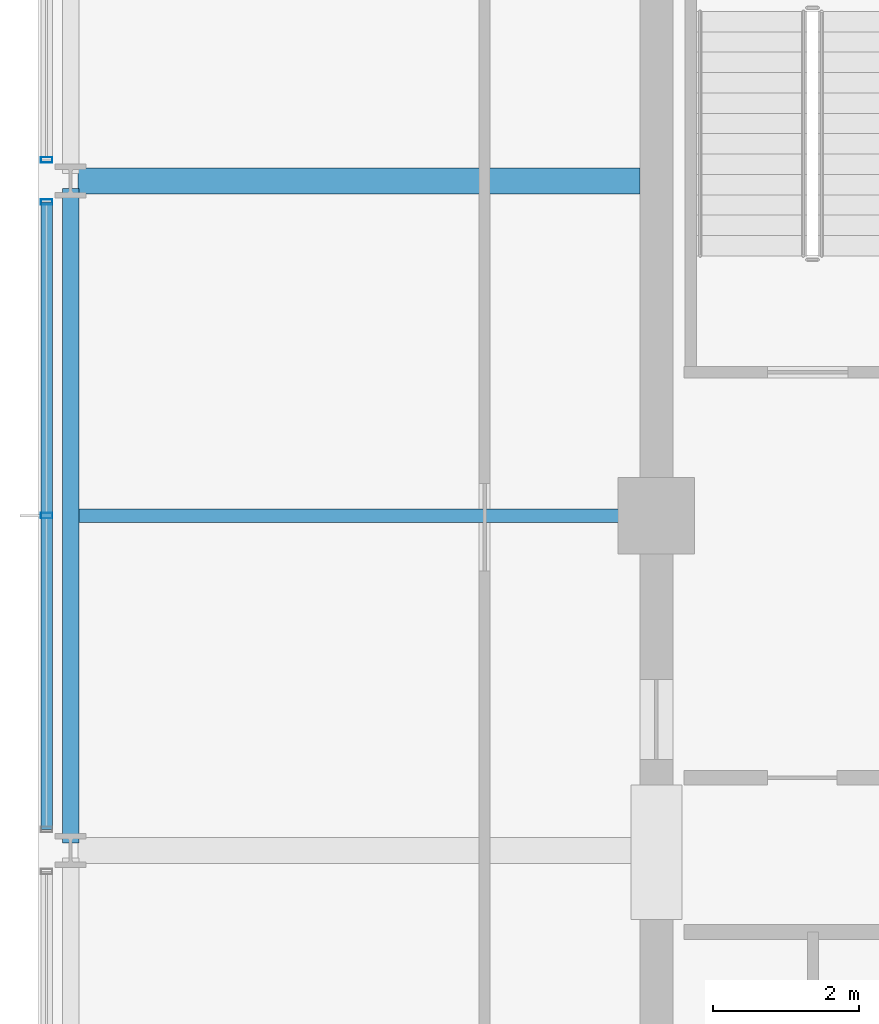
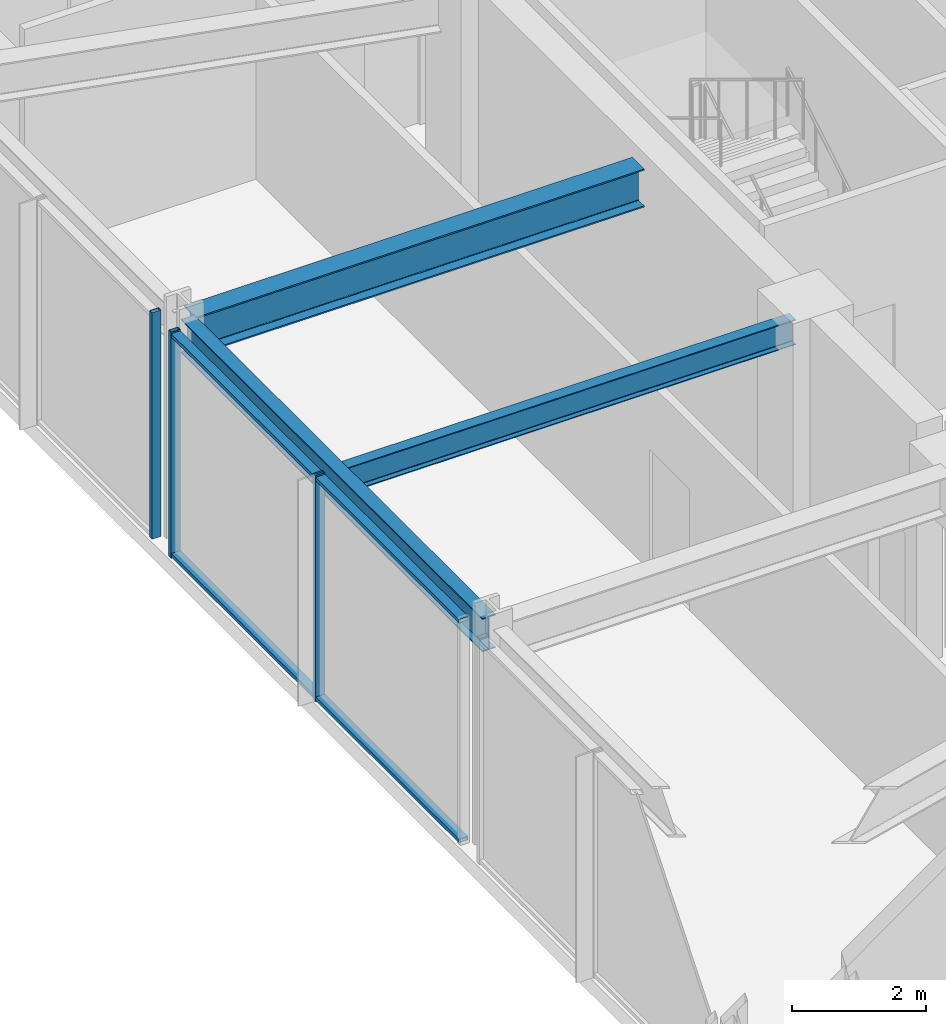
# One storey, part 8 of 26: 5 members, 3 beams, 2 elements without a shape of their own.
"""IFC4 building model written with IfcOpenShell, lengths in metres."""

from ifc_helpers import new_model, si_unit, direction, frame, origin, origin_2d, place, context, subcontext, project, spatial, hollow_rectangle, i_section, extrude, material, material_profile, profile_set, type_object, element, aggregate, save


model = new_model("IFC4")

# Units and contexts
model_context = context("Model", 3, precision=1e-05, world=origin(), true_north=direction((0.0, 1.0)))
body_context = subcontext(model_context, "Body", "Model", "MODEL_VIEW")
ifc_project = project(units=[si_unit("LENGTHUNIT", "METRE"), si_unit("AREAUNIT", "SQUARE_METRE"), si_unit("VOLUMEUNIT", "CUBIC_METRE"), si_unit("PLANEANGLEUNIT", "RADIAN"), si_unit("MASSUNIT", "GRAM", prefix="KILO")], contexts=[model_context])

# Site, building, storey
site_placement = place(None, origin())
site = spatial("IfcSite", under=ifc_project, at=site_placement, CompositionType="ELEMENT")
building_placement = place(site_placement, origin())
building = spatial("IfcBuilding", under=site, at=building_placement, Name="Kolvaren Belvedere", CompositionType="ELEMENT")
storey_placement = place(building_placement, frame((0.0, 0.0, 258.39990234375)))
storey = spatial("IfcBuildingStorey", under=building, at=storey_placement, Name="L75", CompositionType="ELEMENT", Elevation=258.39990234375)

# Beams
ifc_material_1 = material(Name="Structural steel ASTM A992 Grade 50", Category="steel")
ifc_material_profile_1 = material_profile(ifc_material_1, i_section(OverallWidth=0.35498046875, OverallDepth=0.696044921875, WebThickness=0.015380859375, FlangeThickness=0.02490234375, FilletRadius=0.02197265625, at=origin_2d()), Name="W27X146")
ifc_profile_set_1 = profile_set([ifc_material_profile_1], Name="Structural steel ASTM A992 Grade 50")
beam_type_1 = type_object("IfcBeamType", Name="BM-GIRD-W27X146", PredefinedType="BEAM", material=ifc_profile_set_1)
beam_1_placement = place(storey_placement, frame((-10.125, 4.60009765625, 3.772216796875), z_axis=(-1.0, 0.0, 0.0), x_axis=(0.0, -1.0, 0.0)))
element("IfcBeam", 1, at=beam_1_placement, inside=storey, type_object=beam_type_1, Name="L75 West Radial Girder P", PredefinedType="BEAM", context=body_context, shape_type="SweptSolid", body=[
    extrude(i_section(OverallWidth=0.35498046875, OverallDepth=0.696044921875, WebThickness=0.015380859375, FlangeThickness=0.02490234375, FilletRadius=0.02197265625, at=origin_2d()), origin(), (0.0, 0.0, 1.0), 7.720458984375),
])
ifc_material_2 = material(Name="Structural steel ASTM A992 Grade 50", Category="steel")
ifc_material_profile_2 = material_profile(ifc_material_2, i_section(OverallWidth=0.19091796875, OverallDepth=0.4599609375, WebThickness=0.010009765625, FlangeThickness=0.01611328125, FilletRadius=0.014892578125, at=origin_2d()), Name="W18X55")
ifc_profile_set_2 = profile_set([ifc_material_profile_2], Name="Structural steel ASTM A992 Grade 50")
beam_type_2 = type_object("IfcBeamType", Name="BM-JOIST-W18X55", PredefinedType="BEAM", material=ifc_profile_set_2)
beam_2_placement = place(storey_placement, frame((-10.125, 0.0, 3.89013671875), z_axis=(-1.0, 0.0, 0.0), x_axis=(0.0, -1.0, 0.0)))
element("IfcBeam", 2, at=beam_2_placement, inside=storey, type_object=beam_type_2, Name="L75 West Centre Floor Beam", PredefinedType="BEAM", context=body_context, shape_type="SweptSolid", body=[
    extrude(i_section(OverallWidth=0.19091796875, OverallDepth=0.4599609375, WebThickness=0.010009765625, FlangeThickness=0.01611328125, FilletRadius=0.014892578125, at=origin_2d()), origin(), (0.0, 0.0, 1.0), 7.71044921875),
])
ifc_material_3 = material(Name="Structural steel ASTM A992 Grade 50", Category="steel")
ifc_material_profile_3 = material_profile(ifc_material_3, i_section(OverallWidth=0.22900390625, OverallDepth=0.612060546875, WebThickness=0.011962890625, FlangeThickness=0.01953125, FilletRadius=0.01806640625, at=origin_2d()), Name="W24X84")
ifc_profile_set_3 = profile_set([ifc_material_profile_3], Name="Structural steel ASTM A992 Grade 50")
beam_type_3 = type_object("IfcBeamType", Name="BM-SPAN-W24X84", PredefinedType="SPANDREL", material=ifc_profile_set_3)
beam_3_placement = place(storey_placement, frame((-17.949951171875, 4.495361328125, 3.814208984375), z_axis=(0.0, -1.0, 0.0), x_axis=(1.0, 0.0, 0.0)))
element("IfcBeam", 3, at=beam_3_placement, inside=storey, type_object=beam_type_3, Name="L75 Perimeter Spandrel W3-W2", PredefinedType="SPANDREL", context=body_context, shape_type="SweptSolid", body=[
    extrude(i_section(OverallWidth=0.22900390625, OverallDepth=0.612060546875, WebThickness=0.011962890625, FlangeThickness=0.01953125, FilletRadius=0.01806640625, at=origin_2d()), origin(), (0.0, 0.0, 1.0), 8.99072265625),
])

# Curtain wall, members
ifc_material_4 = material(Name="Anodised pale-metal aluminium AA 6063-T6", Category="aluminium")
curtain_wall_type = type_object("IfcCurtainWallType", Name="CW-CRN-OBS", PredefinedType="NOTDEFINED", material=ifc_material_4)
curtain_wall_1_placement = place(storey_placement, origin())
curtain_wall_1 = element("IfcCurtainWall", 4, at=curtain_wall_1_placement, inside=storey, type_object=curtain_wall_type, Name="L75 Unitised Curtain Wall FCW-L75-W-B2", PredefinedType="NOTDEFINED")
ifc_material_5 = material(Name="Anodised pale-metal aluminium AA 6063-T6", Category="aluminium")
ifc_material_profile_4 = material_profile(ifc_material_5, hollow_rectangle(XDim=0.074951171875, YDim=0.159912109375, WallThickness=0.00439453125, at=origin_2d()), Name="ALU-MUL-160X75")
ifc_profile_set_4 = profile_set([ifc_material_profile_4], Name="Anodised pale-metal aluminium AA 6063-T6")
member_type_1 = type_object("IfcMemberType", Name="CW-MUL-160", PredefinedType="MULLION", material=ifc_profile_set_4)
member_1_placement = place(storey_placement, frame((-18.280029296875, 0.0, 0.0), z_axis=(0.0, 0.0, 1.0), x_axis=(0.0, 1.0, 0.0)))
member_1 = element("IfcMember", 5, at=member_1_placement, type_object=member_type_1, Name="FCW-L75-W-B2 Unitised Mullion 2", PredefinedType="MULLION", context=body_context, shape_type="SweptSolid", body=[
    extrude(hollow_rectangle(XDim=0.074951171875, YDim=0.159912109375, WallThickness=0.00439453125, at=origin_2d()), origin(), (0.0, 0.0, 1.0), 4.1201171875),
])
member_2_placement = place(storey_placement, frame((-18.280029296875, 4.31005859375, 0.0), z_axis=(0.0, 0.0, 1.0), x_axis=(0.0, 1.0, 0.0)))
member_2 = element("IfcMember", 6, at=member_2_placement, type_object=member_type_1, Name="FCW-L75-W-B2 Unitised Mullion 3", PredefinedType="MULLION", context=body_context, shape_type="SweptSolid", body=[
    extrude(hollow_rectangle(XDim=0.074951171875, YDim=0.159912109375, WallThickness=0.00439453125, at=origin_2d()), origin(), (0.0, 0.0, 1.0), 4.1201171875),
])

# Curtain wall, member
curtain_wall_2_placement = place(storey_placement, origin())
curtain_wall_2 = element("IfcCurtainWall", 7, at=curtain_wall_2_placement, inside=storey, type_object=curtain_wall_type, Name="L75 Unitised Curtain Wall FCW-L75-W-B3", PredefinedType="NOTDEFINED")
member_3_placement = place(storey_placement, frame((-18.280029296875, 4.889892578125, 0.0), z_axis=(0.0, 0.0, 1.0), x_axis=(0.0, 1.0, 0.0)))
member_3 = element("IfcMember", 8, at=member_3_placement, type_object=member_type_1, Name="FCW-L75-W-B3 Unitised Mullion 1", PredefinedType="MULLION", context=body_context, shape_type="SweptSolid", body=[
    extrude(hollow_rectangle(XDim=0.074951171875, YDim=0.159912109375, WallThickness=0.00439453125, at=origin_2d()), origin(), (0.0, 0.0, 1.0), 4.1201171875),
])
aggregate(curtain_wall_2, [member_3])

# Member
ifc_material_6 = material(Name="Anodised pale-metal aluminium AA 6063-T6", Category="aluminium")
ifc_material_profile_5 = material_profile(ifc_material_6, hollow_rectangle(XDim=0.06494140625, YDim=0.159912109375, WallThickness=0.00390625, at=origin_2d()), Name="ALU-TRN-160X65")
ifc_profile_set_5 = profile_set([ifc_material_profile_5], Name="Anodised pale-metal aluminium AA 6063-T6")
member_type_2 = type_object("IfcMemberType", Name="CW-TRN-160", PredefinedType="USERDEFINED", material=ifc_profile_set_5)
member_4_placement = place(storey_placement, frame((-18.280029296875, -4.31005859375, 0.06005859375), z_axis=(0.0, 1.0, 0.0), x_axis=(0.0, 0.0, 1.0)))
member_4 = element("IfcMember", 9, at=member_4_placement, type_object=member_type_2, Name="FCW-L75-W-B2 Sill Transom", ObjectType="TRANSOM", PredefinedType="USERDEFINED", context=body_context, shape_type="SweptSolid", body=[
    extrude(hollow_rectangle(XDim=0.06494140625, YDim=0.159912109375, WallThickness=0.00390625, at=origin_2d()), origin(), (0.0, 0.0, 1.0), 8.6201171875),
])

member_5_placement = place(storey_placement, frame((-18.280029296875, -4.31005859375, 4.06005859375), z_axis=(0.0, 1.0, 0.0), x_axis=(0.0, 0.0, 1.0)))
member_5 = element("IfcMember", 10, at=member_5_placement, type_object=member_type_2, Name="FCW-L75-W-B2 Head Transom", ObjectType="TRANSOM", PredefinedType="USERDEFINED", context=body_context, shape_type="SweptSolid", body=[
    extrude(hollow_rectangle(XDim=0.06494140625, YDim=0.159912109375, WallThickness=0.00390625, at=origin_2d()), origin(), (0.0, 0.0, 1.0), 8.6201171875),
])

aggregate(curtain_wall_1, [member_1, member_2, member_4, member_5])

save(model, "model.ifc")
